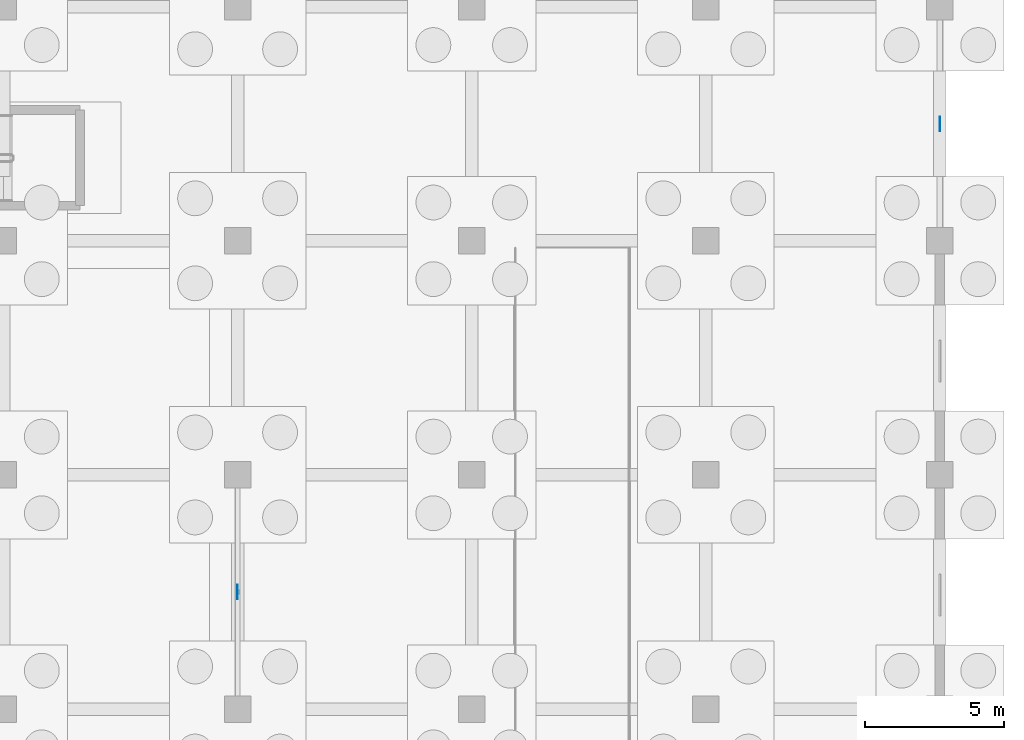
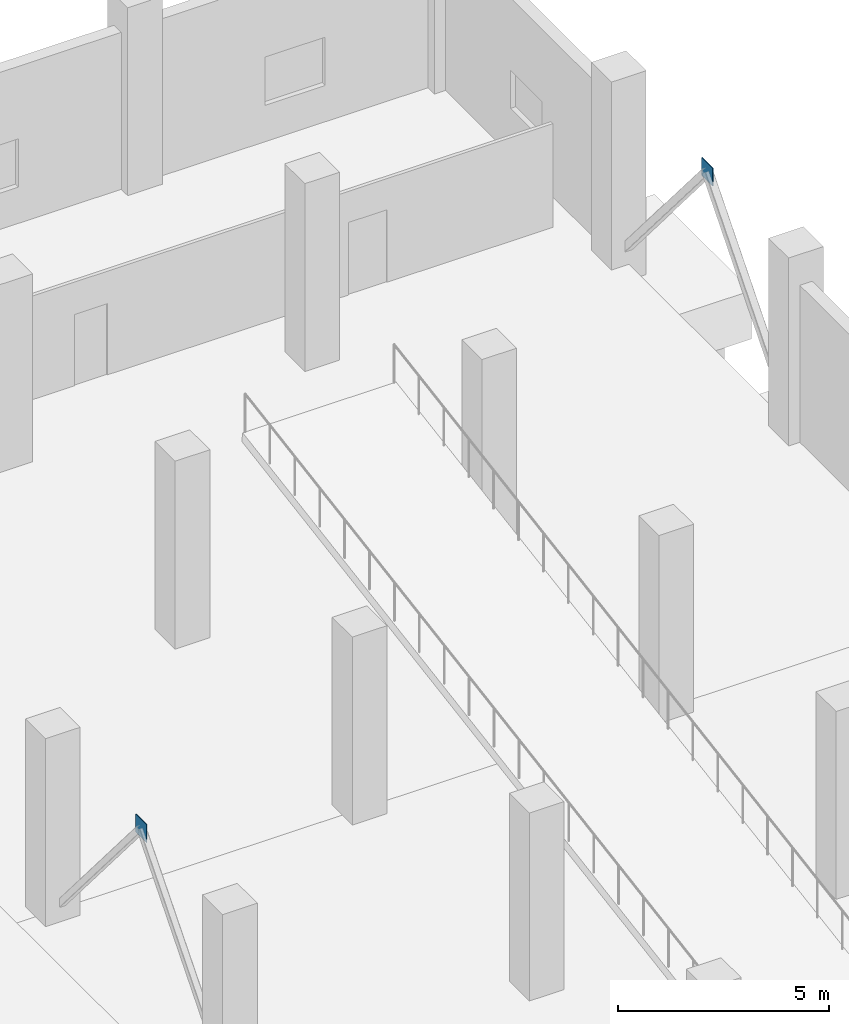
# One storey, part 49 of 83: 2 plates.
"""IFC4 building model written with IfcOpenShell, lengths in metres."""

from ifc_helpers import new_model, si_unit, direction, frame, origin, origin_2d, place, context, subcontext, project, spatial, rectangle, extrude, material, layer, layer_set, type_object, element, save


model = new_model("IFC4")

# Units and contexts
model_context = context("Model", 3, precision=1e-05, world=origin(), true_north=direction((0.0, 1.0)))
body_context = subcontext(model_context, "Body", "Model", "MODEL_VIEW")
ifc_project = project(units=[si_unit("LENGTHUNIT", "METRE"), si_unit("AREAUNIT", "SQUARE_METRE"), si_unit("VOLUMEUNIT", "CUBIC_METRE"), si_unit("PLANEANGLEUNIT", "RADIAN"), si_unit("MASSUNIT", "GRAM", prefix="KILO"), si_unit("THERMODYNAMICTEMPERATUREUNIT", "KELVIN"), si_unit("POWERUNIT", "WATT")], contexts=[model_context])

# Site, building, storey
site_placement = place(None, origin())
site = spatial("IfcSite", under=ifc_project, at=site_placement, CompositionType="ELEMENT")
building_placement = place(site_placement, origin())
building = spatial("IfcBuilding", under=site, at=building_placement, Name="Mavoryth Pier Ferry Terminal", CompositionType="ELEMENT")
storey_placement = place(building_placement, origin())
storey = spatial("IfcBuildingStorey", under=building, at=storey_placement, Name="L00", CompositionType="ELEMENT", Elevation=0.0)

# Plates
ifc_material = material(Name="Steel S355J2", Category="steel")
ifc_layer = layer(ifc_material, 0.02001953125, Name="Steel S355J2", Category="steel")
ifc_layer_set = layer_set([ifc_layer], Name="Steel S355J2 - Plate-Gusset-520x520x20")
plate_type = type_object("IfcPlateType", Name="Plate-Gusset-520x520x20", PredefinedType="SHEET", material=ifc_layer_set)
for number, where, z_axis, x_axis, name in (
    (1, (142.800048828125, 43.0, 4.679931640625), (0.0, 0.0, 1.0), (0.0, 1.0, 0.0), "Steel Node Plate PL-L00-0077"),
    (2, (168.0, 59.800048828125, 4.679931640625), (0.0, 0.0, 1.0), (0.0, 1.0, 0.0), "Steel Node Plate PL-L00-0078"),
):
    element("IfcPlate", number, at=place(storey_placement, frame(where, z_axis=z_axis, x_axis=x_axis)), inside=storey, type_object=plate_type, Name=name, PredefinedType="SHEET", context=body_context, shape_type="SweptSolid", body=[
        extrude(rectangle(XDim=0.52001953125, YDim=0.02001953125, at=origin_2d()), origin(), (0.0, 0.0, 1.0), 0.52001953125),
    ])

save(model, "model.ifc")
